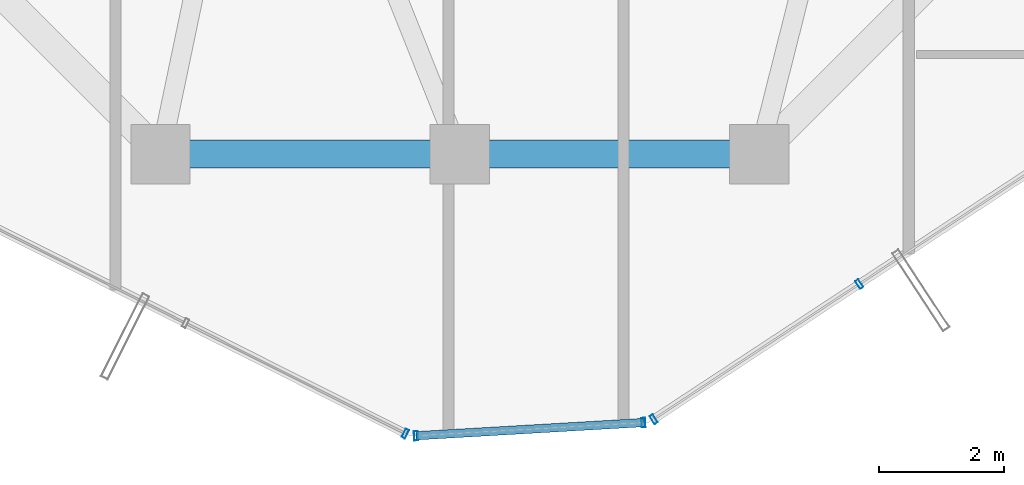
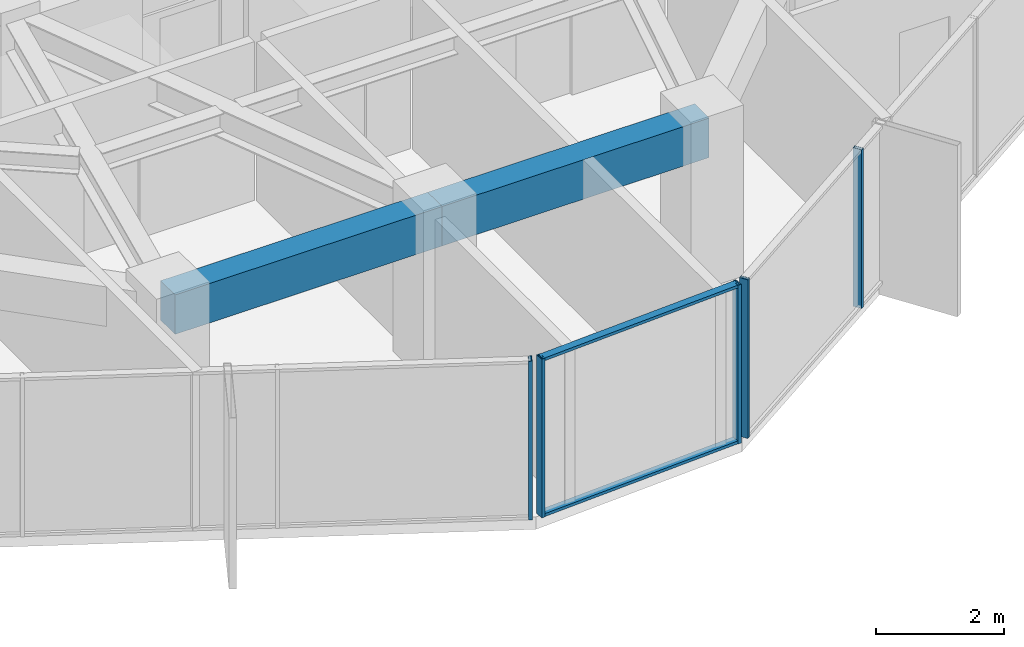
# One storey, part 7 of 33: 7 members, 2 beams, 3 elements without a shape of their own.
"""IFC4 building model written with IfcOpenShell, lengths in metres."""

from ifc_helpers import new_model, si_unit, direction, frame, origin, origin_2d, place, context, subcontext, project, spatial, rectangle, hollow_rectangle, extrude, source, transform, mapped, material, layer, layer_set, material_profile, profile_set, type_object, element, aggregate, save


model = new_model("IFC4")

# Units and contexts
model_context = context("Model", 3, precision=1e-05, world=origin(), true_north=direction((0.0, 1.0)))
body_context = subcontext(model_context, "Body", "Model", "MODEL_VIEW")
ifc_project = project(units=[si_unit("LENGTHUNIT", "METRE"), si_unit("AREAUNIT", "SQUARE_METRE"), si_unit("VOLUMEUNIT", "CUBIC_METRE"), si_unit("PLANEANGLEUNIT", "RADIAN"), si_unit("MASSUNIT", "GRAM", prefix="KILO")], contexts=[model_context])

# Site, building, storey
site_placement = place(None, origin())
site = spatial("IfcSite", under=ifc_project, at=site_placement, CompositionType="ELEMENT")
building_placement = place(site_placement, origin())
building = spatial("IfcBuilding", under=site, at=building_placement, Name="Veraguas Prism Commons", CompositionType="ELEMENT")
storey_placement = place(building_placement, frame((0.0, 0.0, 195.10009765625)))
storey = spatial("IfcBuildingStorey", under=building, at=storey_placement, Name="L55", CompositionType="ELEMENT", Elevation=195.10009765625)

# Beams
ifc_material_1 = material(Name="Concrete C50/60", Category="concrete")
ifc_material_profile_1 = material_profile(ifc_material_1, rectangle(XDim=0.449951171875, YDim=0.75, at=origin_2d()), Name="RC450X750")
ifc_profile_set_1 = profile_set([ifc_material_profile_1], Name="Concrete C50/60")
beam_type = type_object("IfcBeamType", Name="Perimeter Spandrel Upper RC 450x750", PredefinedType="SPANDREL", material=ifc_profile_set_1)
for number, where, z_axis, x_axis, name in (
    (1, (19.199951171875, 9.10009765625, 2.639892578125), (1.0, 0.0, 0.0), (0.0, 1.0, 0.0), "Perimeter Spandrel Beam L55-SP10"),
    (2, (24.0, 9.10009765625, 2.639892578125), (1.0, 0.0, 0.0), (0.0, 1.0, 0.0), "Perimeter Spandrel Beam L55-SP11"),
):
    element("IfcBeam", number, at=place(storey_placement, frame(where, z_axis=z_axis, x_axis=x_axis)), inside=storey, type_object=beam_type, Name=name, PredefinedType="SPANDREL", context=body_context, shape_type="SweptSolid", body=[
        extrude(rectangle(XDim=0.449951171875, YDim=0.75, at=origin_2d()), origin(), (0.0, 0.0, 1.0), 4.800048828125),
    ])

# Curtain wall, member
ifc_material_2 = material(Name="Anodised aluminium EN AW-6063 T6", Category="aluminium")
ifc_layer = layer(ifc_material_2, 0.14990234375, Name="Unitised Flush Curtain Wall Zone 3", Category="aluminium")
ifc_layer_set = layer_set([ifc_layer], Name="Anodised aluminium EN AW-6063 T6")
curtain_wall_type = type_object("IfcCurtainWallType", Name="Unitised Flush Curtain Wall Zone 3", PredefinedType="NOTDEFINED", material=ifc_layer_set)
curtain_wall_1_placement = place(storey_placement, origin())
curtain_wall_1 = element("IfcCurtainWall", 3, at=curtain_wall_1_placement, inside=storey, type_object=curtain_wall_type, Name="Tower Facade Curtain Wall L55-F4", PredefinedType="NOTDEFINED")
ifc_material_profile_2 = material_profile(ifc_material_2, hollow_rectangle(XDim=0.06005859375, YDim=0.14990234375, WallThickness=0.0029296875, at=origin_2d()), Name="AL60X150X3")
ifc_profile_set_2 = profile_set([ifc_material_profile_2], Name="Anodised aluminium EN AW-6063 T6")
member_type_1 = type_object("IfcMemberType", Name="Curtain Wall Mullion Upper AL 60x150x3", PredefinedType="MULLION", material=ifc_profile_set_2)
shared_shape_1 = source(origin(), body_context, "Body", "SweptSolid", [
    extrude(hollow_rectangle(XDim=0.06005859375, YDim=0.14990234375, WallThickness=0.0029296875, at=origin_2d()), origin(), (0.0, 0.0, 1.0), 3.014892578125),
])
member_1_placement = place(storey_placement, frame((23.125732421875, 4.61865234375, 0.0), z_axis=(0.0, 0.0, 1.0), x_axis=(0.893525824808, -0.449011804301, 0.0)))
member_1 = element("IfcMember", 4, at=member_1_placement, type_object=member_type_1, Name="CW-Z3 Mullion 5", PredefinedType="MULLION", context=body_context, shape_type="MappedRepresentation", body=[
    mapped(shared_shape_1, transform((0.0, 0.0, 0.0), scale=1.0)),
])
aggregate(curtain_wall_1, [member_1])

# Curtain wall, members
curtain_wall_2_placement = place(storey_placement, origin())
curtain_wall_2 = element("IfcCurtainWall", 5, at=curtain_wall_2_placement, inside=storey, type_object=curtain_wall_type, Name="Tower Facade Curtain Wall L55-F5", PredefinedType="NOTDEFINED")
member_2_placement = place(storey_placement, frame((27.109375, 4.849853515625, 0.0), z_axis=(0.0, 0.0, 1.0), x_axis=(0.835621417698, 0.549305785774, 0.0)))
member_2 = element("IfcMember", 6, at=member_2_placement, type_object=member_type_1, Name="CW-Z3 Mullion 1", PredefinedType="MULLION", context=body_context, shape_type="MappedRepresentation", body=[
    mapped(shared_shape_1, transform((0.0, 0.0, 0.0), scale=1.0)),
])
member_3_placement = place(storey_placement, frame((30.406494140625, 7.017333984375, 0.0), z_axis=(0.0, 0.0, 1.0), x_axis=(0.835621417698, 0.549305785774, 0.0)))
member_3 = element("IfcMember", 7, at=member_3_placement, type_object=member_type_1, Name="CW-Z3 Mullion 2", PredefinedType="MULLION", context=body_context, shape_type="MappedRepresentation", body=[
    mapped(shared_shape_1, transform((0.0, 0.0, 0.0), scale=1.0)),
])
aggregate(curtain_wall_2, [member_2, member_3])

curtain_wall_3_placement = place(storey_placement, origin())
curtain_wall_3 = element("IfcCurtainWall", 8, at=curtain_wall_3_placement, inside=storey, type_object=curtain_wall_type, Name="Chamfer Curtain Wall L55-C5", PredefinedType="NOTDEFINED")
member_4_placement = place(storey_placement, frame((23.296142578125, 4.58349609375, 0.0), z_axis=(0.0, 0.0, 1.0), x_axis=(0.998321864303, 0.05790902568, 0.0)))
member_4 = element("IfcMember", 9, at=member_4_placement, type_object=member_type_1, Name="CW-Z3 Mullion 1", PredefinedType="MULLION", context=body_context, shape_type="MappedRepresentation", body=[
    mapped(shared_shape_1, transform((0.0, 0.0, 0.0), scale=1.0)),
])
member_5_placement = place(storey_placement, frame((26.9443359375, 4.795166015625, 0.0), z_axis=(0.0, 0.0, 1.0), x_axis=(0.998321864303, 0.05790902568, 0.0)))
member_5 = element("IfcMember", 10, at=member_5_placement, type_object=member_type_1, Name="CW-Z3 Mullion 2", PredefinedType="MULLION", context=body_context, shape_type="MappedRepresentation", body=[
    mapped(shared_shape_1, transform((0.0, 0.0, 0.0), scale=1.0)),
])
ifc_material_profile_3 = material_profile(ifc_material_2, hollow_rectangle(XDim=0.054931640625, YDim=0.135009765625, WallThickness=0.0029296875, at=origin_2d()), Name="AL55X135X3")
ifc_profile_set_3 = profile_set([ifc_material_profile_3], Name="Anodised aluminium EN AW-6063 T6")
member_type_2 = type_object("IfcMemberType", Name="Curtain Wall Transom Standard AL 55x135x3", PredefinedType="USERDEFINED", material=ifc_profile_set_3)
shared_shape_2 = source(origin(), body_context, "Body", "SweptSolid", [
    extrude(hollow_rectangle(XDim=0.054931640625, YDim=0.135009765625, WallThickness=0.0029296875, at=origin_2d()), origin(), (0.0, 0.0, 1.0), 3.654296875),
])
member_6_placement = place(storey_placement, frame((23.296142578125, 4.58349609375, 0.02734375), z_axis=(0.998321049873, 0.057923064327, 0.0), x_axis=(0.0, 0.0, 1.0)))
member_6 = element("IfcMember", 11, at=member_6_placement, type_object=member_type_2, Name="CW-Z3 Transom 1", ObjectType="TRANSOM", PredefinedType="USERDEFINED", context=body_context, shape_type="MappedRepresentation", body=[
    mapped(shared_shape_2, transform((0.0, 0.0, 0.0), scale=1.0)),
])
member_7_placement = place(storey_placement, frame((23.296142578125, 4.58349609375, 2.9873046875), z_axis=(0.998321049873, 0.057923064327, 0.0), x_axis=(0.0, 0.0, 1.0)))
member_7 = element("IfcMember", 12, at=member_7_placement, type_object=member_type_2, Name="CW-Z3 Transom 2", ObjectType="TRANSOM", PredefinedType="USERDEFINED", context=body_context, shape_type="MappedRepresentation", body=[
    mapped(shared_shape_2, transform((0.0, 0.0, 0.0), scale=1.0)),
])
aggregate(curtain_wall_3, [member_4, member_5, member_6, member_7])

save(model, "model.ifc")
